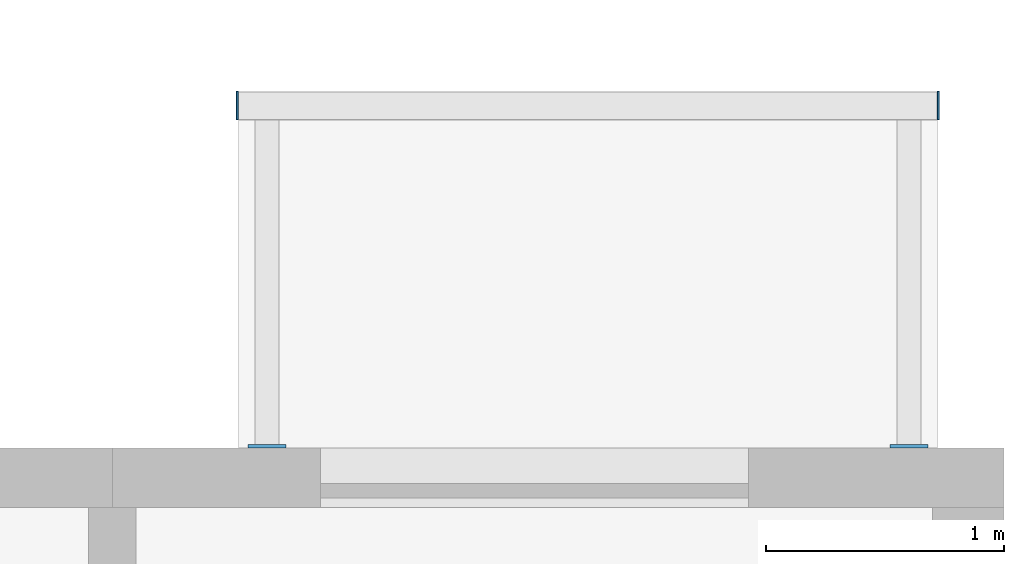
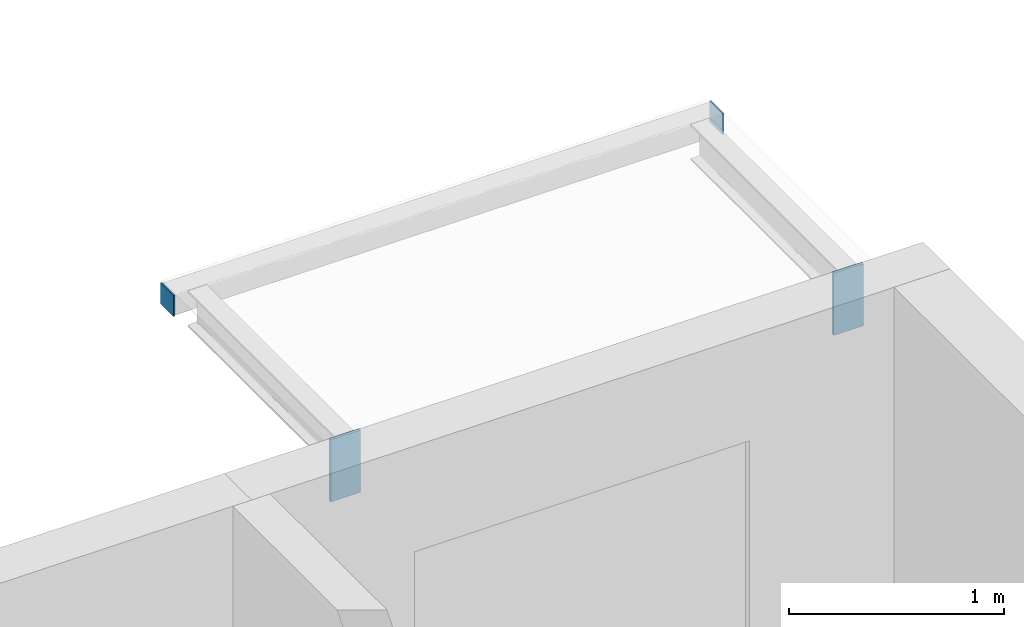
# One storey, part 70 of 93: 4 discrete accessories.
"""IFC4 building model written with IfcOpenShell, lengths in metres."""

from ifc_helpers import new_model, si_unit, direction, frame, origin, origin_2d, place, context, subcontext, project, spatial, rectangle, extrude, material, layer, layer_set, type_object, element, save


model = new_model("IFC4")

# Units and contexts
model_context = context("Model", 3, precision=1e-05, world=origin(), true_north=direction((0.0, 1.0)))
body_context = subcontext(model_context, "Body", "Model", "MODEL_VIEW")
ifc_project = project(units=[si_unit("LENGTHUNIT", "METRE"), si_unit("AREAUNIT", "SQUARE_METRE"), si_unit("VOLUMEUNIT", "CUBIC_METRE"), si_unit("PLANEANGLEUNIT", "RADIAN"), si_unit("MASSUNIT", "GRAM", prefix="KILO")], contexts=[model_context])

# Site, building, storey
site_placement = place(None, origin())
site = spatial("IfcSite", under=ifc_project, at=site_placement, CompositionType="ELEMENT")
building_placement = place(site_placement, origin())
building = spatial("IfcBuilding", under=site, at=building_placement, Name="Ridgestep Commons", CompositionType="ELEMENT")
storey_placement = place(building_placement, frame((0.0, 0.0, 18.0)))
storey = spatial("IfcBuildingStorey", under=building, at=storey_placement, Name="L06", CompositionType="ELEMENT", Elevation=18.0)

# Discrete accessories
ifc_material_1 = material(Name="Weathering steel S355J2W", Category="steel")
ifc_layer_1 = layer(ifc_material_1, 0.014892578125)
ifc_layer_set_1 = layer_set([ifc_layer_1], Name="Tray bracket plate 15")
discrete_accessory_type_1 = type_object("IfcDiscreteAccessoryType", Name="Tray bracket plate 15", PredefinedType="BRACKET", material=ifc_layer_set_1)
for number, where, z_axis, x_axis, name in (
    (1, (244.64990234375, 23.007568359375, 2.63671875), (0.0, 0.0, 1.0), (1.0, 0.0, 0.0), "Tray bracket D6T1-07.1"),
    (2, (247.35009765625, 23.007568359375, 2.63671875), (0.0, 0.0, 1.0), (1.0, 0.0, 0.0), "Tray bracket D6T1-07.2"),
):
    element("IfcDiscreteAccessory", number, at=place(storey_placement, frame(where, z_axis=z_axis, x_axis=x_axis)), inside=storey, type_object=discrete_accessory_type_1, Name=name, PredefinedType="BRACKET", context=body_context, shape_type="SweptSolid", body=[
        extrude(rectangle(XDim=0.159912109375, YDim=0.014892578125, at=origin_2d()), origin(), (0.0, 0.0, 1.0), 0.353271484375),
    ])
ifc_material_2 = material(Name="Weathering steel S355J2W", Category="steel")
ifc_layer_2 = layer(ifc_material_2, 0.008056640625)
ifc_layer_set_2 = layer_set([ifc_layer_2], Name="Tray edge member end plate 120 x 120 x 8")
discrete_accessory_type_2 = type_object("IfcDiscreteAccessoryType", Name="Tray edge member end plate 120 x 120 x 8", PredefinedType="BRACKET", material=ifc_layer_set_2)
for number, where, z_axis, x_axis, name in (
    (3, (244.52587890625, 24.43994140625, 2.869873046875), (0.0, 0.0, 1.0), (1.0, 0.0, 0.0), "Tray edge member end plate D6T1-07 west"),
    (4, (247.47412109375, 24.43994140625, 2.869873046875), (0.0, 0.0, 1.0), (1.0, 0.0, 0.0), "Tray edge member end plate D6T1-07 east"),
):
    element("IfcDiscreteAccessory", number, at=place(storey_placement, frame(where, z_axis=z_axis, x_axis=x_axis)), inside=storey, type_object=discrete_accessory_type_2, Name=name, PredefinedType="BRACKET", context=body_context, shape_type="SweptSolid", body=[
        extrude(rectangle(XDim=0.008056640625, YDim=0.1201171875, at=origin_2d()), origin(), (0.0, 0.0, 1.0), 0.1201171875),
    ])

save(model, "model.ifc")
